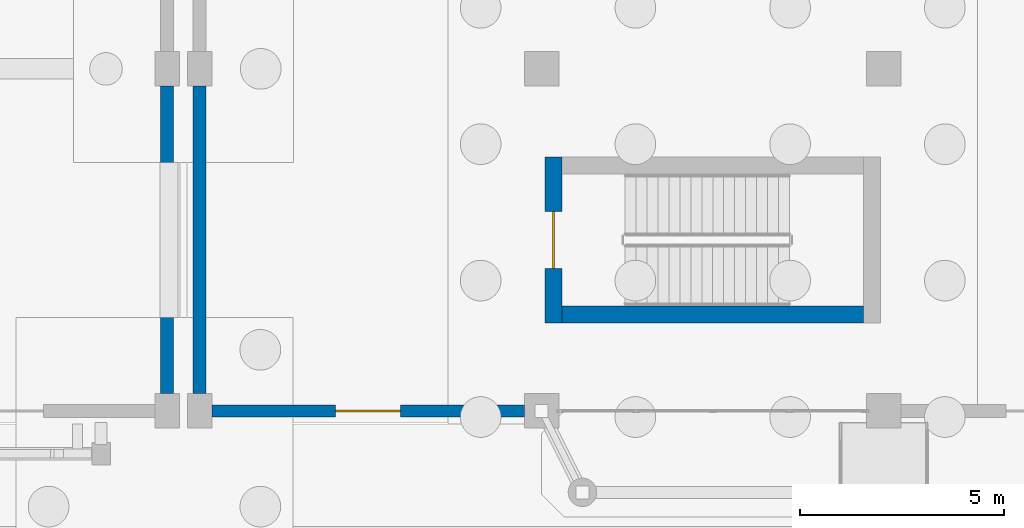
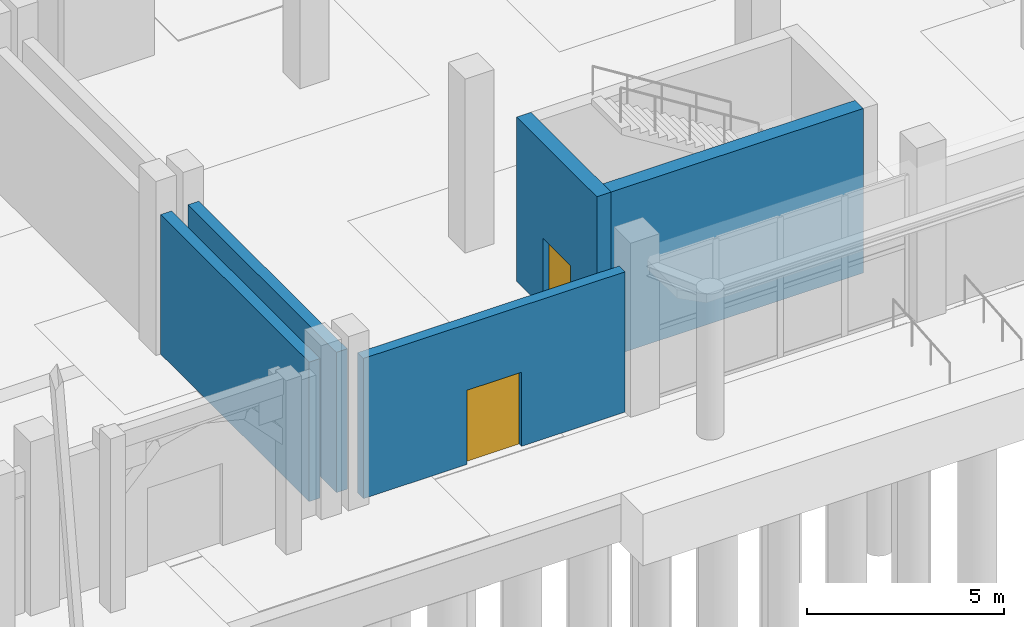
# One storey, part 63 of 98: 5 walls, 2 doors, 2 openings.
"""IFC4 building model written with IfcOpenShell, lengths in metres."""

from ifc_helpers import new_model, si_unit, direction, frame, frame_2d, origin, place, context, subcontext, project, spatial, rectangle, extrude, material, layer, layer_set, type_object, element, fill, save


model = new_model("IFC4")

# Units and contexts
model_context = context("Model", 3, precision=1e-05, world=origin(), true_north=direction((0.0, 1.0)))
body_context = subcontext(model_context, "Body", "Model", "MODEL_VIEW")
ifc_project = project(units=[si_unit("LENGTHUNIT", "METRE"), si_unit("AREAUNIT", "SQUARE_METRE"), si_unit("VOLUMEUNIT", "CUBIC_METRE"), si_unit("PLANEANGLEUNIT", "RADIAN"), si_unit("MASSUNIT", "GRAM", prefix="KILO")], contexts=[model_context])

# Site, building, storey
site_placement = place(None, origin())
site = spatial("IfcSite", under=ifc_project, at=site_placement, CompositionType="ELEMENT")
building_placement = place(site_placement, origin())
building = spatial("IfcBuilding", under=site, at=building_placement, Name="Xazarin Passage Department Store", CompositionType="ELEMENT")
storey_placement = place(building_placement, origin())
storey = spatial("IfcBuildingStorey", under=building, at=storey_placement, Name="L00", CompositionType="ELEMENT", Elevation=0.0)

# Wall, opening, door
ifc_material_1 = material(Name="Precast concrete C40/50", Category="concrete")
ifc_layer_1 = layer(ifc_material_1, 0.300048828125)
ifc_layer_set_1 = layer_set([ifc_layer_1], Name="Precast concrete C40/50")
wall_type_1 = type_object("IfcWallType", Name="ARC-W-EXT300", PredefinedType="SOLIDWALL", material=ifc_layer_set_1)
wall_1_placement = place(storey_placement, frame((68.300048828125, 0.0, 0.0), z_axis=(0.0, 0.0, 1.0), x_axis=(1.0, 0.0, 0.0)))
wall_1 = element("IfcWall", 1, at=wall_1_placement, inside=storey, type_object=wall_type_1, Name="L00 V2S Exterior Wall 087", PredefinedType="SOLIDWALL", context=body_context, shape_type="SweptSolid", body=[
    extrude(rectangle(XDim=7.675048828125, YDim=0.300048828125, at=frame_2d((3.83740234375, 0.0))), origin(), (0.0, 0.0, 1.0), 4.35009765625),
])
opening_1_placement = place(wall_1_placement, frame((3.03759765625, 0.0, 0.0)))
opening_1 = element("IfcOpeningElement", 2, at=opening_1_placement, cuts=wall_1, Name="Opening ED5", PredefinedType="OPENING", context=body_context, shape_type="SweptSolid", body=[
    extrude(rectangle(XDim=1.60009765625, YDim=2.300048828125, at=frame_2d((0.800048828125, 1.14990234375))), frame((0.0, 0.159912109375, 0.0), z_axis=(0.0, -1.0, 0.0), x_axis=(1.0, 0.0, 0.0)), (0.0, 0.0, 1.0), 0.320068359375),
])
ifc_material_2 = material(Name="Steel S355", Category="steel")
door_type_1 = type_object("IfcDoorType", Name="ARC-DR-EXT160", OperationType="NOTDEFINED", PredefinedType="DOOR", material=ifc_material_2)
door_1_placement = place(opening_1_placement, origin())
door_1 = element("IfcDoor", 3, at=door_1_placement, inside=storey, type_object=door_type_1, Name="DR-EXT-012", OperationType="SINGLE_SWING_LEFT", OverallHeight=2.300048828125, OverallWidth=1.60009765625, PredefinedType="DOOR", context=body_context, shape_type="SweptSolid", body=[
    extrude(rectangle(XDim=1.60009765625, YDim=2.300048828125, at=frame_2d((0.800048828125, 1.14990234375))), frame((0.0, 0.02490234375, 0.0), z_axis=(0.0, -1.0, 0.0), x_axis=(1.0, 0.0, 0.0)), (0.0, 0.0, 1.0), 0.050048828125),
])
fill(opening_1, door_1)

# Walls
ifc_material_3 = material(Name="Buff Baku clay brick", Category="masonry")
ifc_layer_2 = layer(ifc_material_3, 0.320068359375)
ifc_layer_set_2 = layer_set([ifc_layer_2], Name="Buff Baku clay brick")
wall_type_2 = type_object("IfcWallType", Name="ARC-W-EXT320", PredefinedType="SOLIDWALL", material=ifc_layer_set_2)
wall_2_placement = place(storey_placement, frame((68.0, 0.425048828125, 0.0), z_axis=(0.0, 0.0, 1.0), x_axis=(0.0, 1.0, 0.0)))
element("IfcWall", 4, at=wall_2_placement, inside=storey, type_object=wall_type_2, Name="L00 V2S Exterior Wall 094", PredefinedType="SOLIDWALL", context=body_context, shape_type="SweptSolid", body=[
    extrude(rectangle(XDim=7.550048828125, YDim=0.320068359375, at=frame_2d((3.77490234375, 0.0))), origin(), (0.0, 0.0, 1.0), 4.35009765625),
])
wall_3_placement = place(storey_placement, frame((67.199951171875, 0.425048828125, 0.0), z_axis=(0.0, 0.0, 1.0), x_axis=(0.0, 1.0, 0.0)))
element("IfcWall", 5, at=wall_3_placement, inside=storey, type_object=wall_type_2, Name="L00 V3 Exterior Wall 199", PredefinedType="SOLIDWALL", context=body_context, shape_type="SweptSolid", body=[
    extrude(rectangle(XDim=7.550048828125, YDim=0.320068359375, at=frame_2d((3.77490234375, 0.0))), origin(), (0.0, 0.0, 1.0), 4.330078125),
])

# Wall, opening, door
ifc_material_4 = material(Name="Concrete C40/50", Category="concrete")
ifc_layer_3 = layer(ifc_material_4, 0.419921875)
ifc_layer_set_3 = layer_set([ifc_layer_3], Name="Concrete C40/50")
wall_type_3 = type_object("IfcWallType", Name="STR-W-SHR420", PredefinedType="SHEAR", material=ifc_layer_set_3)
wall_4_placement = place(storey_placement, frame((76.68994140625, 2.159912109375, 0.0), z_axis=(0.0, 0.0, 1.0), x_axis=(0.0, 1.0, 0.0)))
wall_4 = element("IfcWall", 6, at=wall_4_placement, inside=storey, type_object=wall_type_3, Name="L00 Core K4 West Shear Wall", PredefinedType="SHEAR", context=body_context, shape_type="SweptSolid", body=[
    extrude(rectangle(XDim=4.080078125, YDim=0.419921875, at=frame_2d((2.0400390625, 0.0))), origin(), (0.0, 0.0, 1.0), 5.10009765625),
])
opening_2_placement = place(wall_4_placement, frame((1.340087890625, 0.0, 0.0)))
opening_2 = element("IfcOpeningElement", 7, at=opening_2_placement, cuts=wall_4, Name="Opening FD2", PredefinedType="OPENING", context=body_context, shape_type="SweptSolid", body=[
    extrude(rectangle(XDim=1.39990234375, YDim=2.14990234375, at=frame_2d((0.699951171875, 1.074951171875))), frame((0.0, 0.219970703125, 0.0), z_axis=(0.0, -1.0, 0.0), x_axis=(1.0, 0.0, 0.0)), (0.0, 0.0, 1.0), 0.43994140625),
])
door_type_2 = type_object("IfcDoorType", Name="ARC-DR-STR140", OperationType="NOTDEFINED", PredefinedType="DOOR", material=ifc_material_2)
door_2_placement = place(opening_2_placement, origin())
door_2 = element("IfcDoor", 8, at=door_2_placement, inside=storey, type_object=door_type_2, Name="DR-STR-K4-L00", OperationType="SINGLE_SWING_RIGHT", OverallHeight=2.14990234375, OverallWidth=1.39990234375, PredefinedType="DOOR", context=body_context, shape_type="SweptSolid", body=[
    extrude(rectangle(XDim=1.39990234375, YDim=2.14990234375, at=frame_2d((0.699951171875, 1.074951171875))), frame((0.0, 0.02490234375, 0.0), z_axis=(0.0, -1.0, 0.0), x_axis=(1.0, 0.0, 0.0)), (0.0, 0.0, 1.0), 0.050048828125),
])
fill(opening_2, door_2)

# Wall
wall_5_placement = place(storey_placement, frame((76.89990234375, 2.3701171875, 0.0), z_axis=(0.0, 0.0, 1.0), x_axis=(1.0, 0.0, 0.0)))
element("IfcWall", 9, at=wall_5_placement, inside=storey, type_object=wall_type_3, Name="L00 Core K4 South Shear Wall", PredefinedType="SHEAR", context=body_context, shape_type="SweptSolid", body=[
    extrude(rectangle(XDim=7.400146484375, YDim=0.419921875, at=frame_2d((3.7001953125, 0.0))), origin(), (0.0, 0.0, 1.0), 5.10009765625),
])

save(model, "model.ifc")
